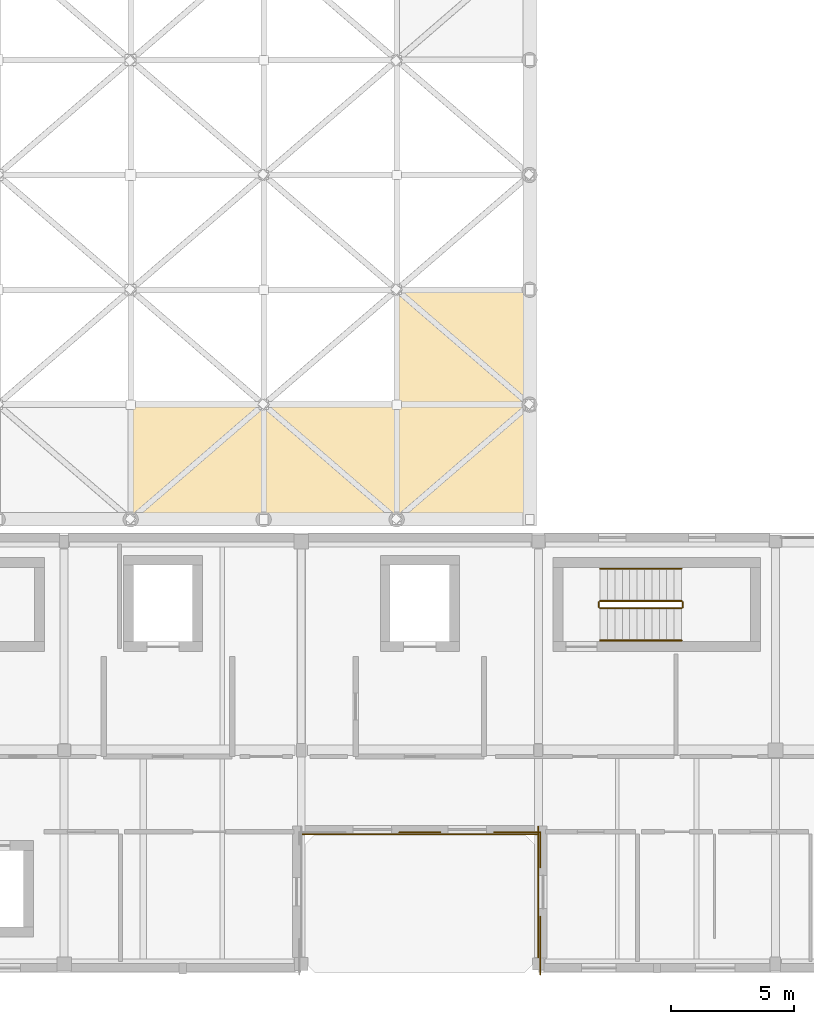
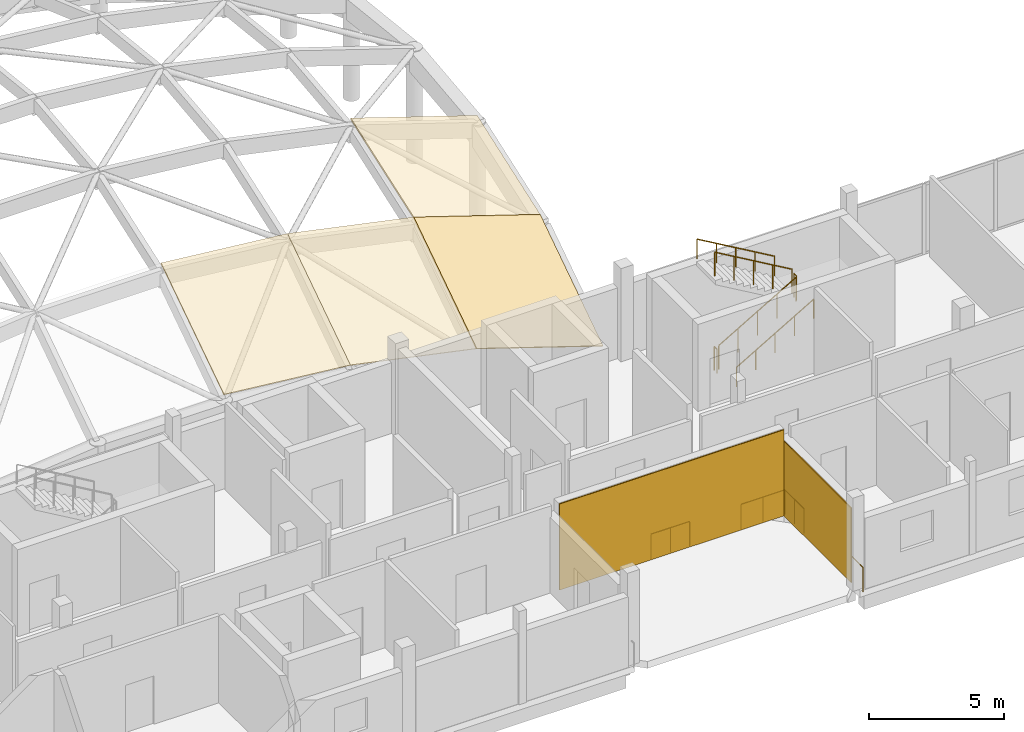
# One storey, part 35 of 41: 10 railings, 6 coverings.
"""IFC4 building model written with IfcOpenShell, lengths in metres."""

from ifc_helpers import new_model, si_unit, direction, frame, origin, origin_2d, place, context, subcontext, project, spatial, polyline, rectangle, circle, outline, extrude, material, layer, layer_set, type_object, element, save


model = new_model("IFC4")

# Units and contexts
model_context = context("Model", 3, precision=1e-05, world=origin(), true_north=direction((0.0, 1.0)))
body_context = subcontext(model_context, "Body", "Model", "MODEL_VIEW")
ifc_project = project(units=[si_unit("LENGTHUNIT", "METRE"), si_unit("AREAUNIT", "SQUARE_METRE"), si_unit("VOLUMEUNIT", "CUBIC_METRE"), si_unit("PLANEANGLEUNIT", "RADIAN"), si_unit("MASSUNIT", "GRAM", prefix="KILO")], contexts=[model_context])

# Site, building, storey
site_placement = place(None, origin())
site = spatial("IfcSite", under=ifc_project, at=site_placement, CompositionType="ELEMENT")
building_placement = place(site_placement, origin())
building = spatial("IfcBuilding", under=site, at=building_placement, Name="Birchvale Park Specialist Clinic", CompositionType="ELEMENT")
storey_placement = place(building_placement, frame((0.0, 0.0, 9.60009765625)))
storey = spatial("IfcBuildingStorey", under=building, at=storey_placement, Name="L02", CompositionType="ELEMENT", Elevation=9.60009765625)

# Coverings
ifc_material_1 = material(Name="Nordic larch vertical rainscreen cladding")
ifc_layer_1 = layer(ifc_material_1, 0.044921875)
ifc_layer_set_1 = layer_set([ifc_layer_1], Name="Nordic larch vertical rainscreen cladding")
covering_type_1 = type_object("IfcCoveringType", Name="COV-CL1", PredefinedType="CLADDING", material=ifc_layer_set_1)
covering_1_placement = place(storey_placement, frame((85.39990234375, 22.3974609375, 0.02001953125), z_axis=(0.0, 0.0, 1.0), x_axis=(1.0, 0.0, 0.0)))
element("IfcCovering", 1, at=covering_1_placement, inside=storey, type_object=covering_type_1, Name="V4 L02 Nordic larch cladding 15", PredefinedType="CLADDING", context=body_context, shape_type="SweptSolid", body=[
    extrude(rectangle(XDim=9.56005859375, YDim=0.044921875, at=origin_2d()), origin(), (0.0, 0.0, 1.0), 3.8798828125),
])
covering_2_placement = place(storey_placement, frame((90.197509765625, 20.0625, 0.02001953125), z_axis=(0.0, 0.0, 1.0), x_axis=(0.0, -1.0, 0.0)))
element("IfcCovering", 2, at=covering_2_placement, inside=storey, type_object=covering_type_1, Name="V4 L02 Nordic larch cladding 16", PredefinedType="CLADDING", context=body_context, shape_type="SweptSolid", body=[
    extrude(rectangle(XDim=5.31494140625, YDim=0.044921875, at=origin_2d()), origin(), (0.0, 0.0, 1.0), 3.364990234375),
])
ifc_material_2 = material(Name="Standing-seam titanium-zinc roofing")
ifc_layer_2 = layer(ifc_material_2, 0.054931640625)
ifc_layer_set_2 = layer_set([ifc_layer_2], Name="Standing-seam titanium-zinc roofing")
covering_type_2 = type_object("IfcCoveringType", Name="COV-RF2", PredefinedType="ROOFING", material=ifc_layer_set_2)
covering_3_placement = place(storey_placement, frame((73.69287109375, 35.14990234375, 3.52197265625), z_axis=(0.086382234799, -0.553259007255, 0.828518304205), x_axis=(0.994608725176, 0.0, -0.103699005798)))
element("IfcCovering", 3, at=covering_3_placement, inside=storey, type_object=covering_type_2, Name="V1 gridshell standing-seam covering 25", PredefinedType="ROOFING", context=body_context, shape_type="SweptSolid", body=[
    extrude(outline(polyline([(0.0, 0.0), (5.4149355934377565, 0.0), (5.092926888665913, 5.582346513327926), (-0.3220087047718434, 5.582346513327925), (0.0, 0.0)])), origin(), (0.0, 0.0, -1.0), 0.054931640625),
])
covering_4_placement = place(storey_placement, frame((79.07861328125, 35.14990234375, 2.96044921875), z_axis=(0.17367317215, -0.546895579373, 0.818988922109), x_axis=(0.978246670793, 0.0, -0.207445055574)))
element("IfcCovering", 4, at=covering_4_placement, inside=storey, type_object=covering_type_2, Name="V1 gridshell standing-seam covering 31", PredefinedType="ROOFING", context=body_context, shape_type="SweptSolid", body=[
    extrude(outline(polyline([(0.0, 0.0), (5.5055052557793625, 0.0), (4.861341764116741, 5.554397860868658), (-0.6441634916626215, 5.554397860868658), (0.0, 0.0)])), origin(), (0.0, 0.0, -1.0), 0.054931640625),
])
covering_5_placement = place(storey_placement, frame((84.46435546875, 35.14990234375, 1.818359375), z_axis=(0.262729709177, -0.535825606069, 0.802411378158), x_axis=(0.950354284012, 0.0, -0.311169945304)))
element("IfcCovering", 5, at=covering_5_placement, inside=storey, type_object=covering_type_2, Name="V1 gridshell standing-seam covering 37", PredefinedType="ROOFING", context=body_context, shape_type="SweptSolid", body=[
    extrude(outline(polyline([(0.0, 0.0), (5.66708887212652, 0.0), (4.700836300269305, 5.50750743696208), (-0.9662525718572146, 5.507507436962079), (0.0, 0.0)])), origin(), (0.0, 0.0, -1.0), 0.054931640625),
])
covering_6_placement = place(storey_placement, frame((84.46435546875, 39.800048828125, 4.923583984375), z_axis=(0.295043747658, -0.317746822713, 0.901102737552), x_axis=(0.950354284012, 0.0, -0.311169945304)))
element("IfcCovering", 6, at=covering_6_placement, inside=storey, type_object=covering_type_2, Name="V1 gridshell standing-seam covering 38", PredefinedType="ROOFING", context=body_context, shape_type="SweptSolid", body=[
    extrude(outline(polyline([(0.0, 0.0), (5.66708887212652, -1.1102230246251565e-16), (5.156879557511138, 4.904051922674518), (-0.5102093146153828, 4.904051922674518), (0.0, 0.0)])), origin(), (0.0, 0.0, -1.0), 0.054931640625),
])

# Railings
ifc_material_3 = material(Name="Brushed stainless steel and laminated glass balustrade", Category="steel")
railing_type_1 = type_object("IfcRailingType", Name="RL-BAL1", PredefinedType="BALUSTRADE", material=ifc_material_3)
railing_1_placement = place(storey_placement, frame((90.280029296875, 16.719970703125, 0.0)))
element("IfcRailing", 7, at=railing_1_placement, inside=storey, type_object=railing_type_1, Name="V4 L02 atrium void balustrade 18", PredefinedType="BALUSTRADE", context=body_context, shape_type="SweptSolid", body=[
    extrude(circle(Radius=0.02392578125, at=origin_2d()), frame((0.0, 0.0, 1.09619140625), z_axis=(0.0, 1.0, 0.0), x_axis=(-1.0, 0.0, 0.0)), (0.0, 0.0, 1.0), 2.347412109375),
    extrude(circle(Radius=0.02099609375, at=origin_2d()), origin(), (0.0, 0.0, 1.0), 1.072021484375),
    extrude(circle(Radius=0.02099609375, at=origin_2d()), frame((0.0, 1.173828125, 0.0)), (0.0, 0.0, 1.0), 1.072021484375),
    extrude(circle(Radius=0.02099609375, at=origin_2d()), frame((0.0, 2.347412109375, 0.0)), (0.0, 0.0, 1.0), 1.072021484375),
])
railing_2_placement = place(storey_placement, frame((90.280029296875, 21.0576171875, 0.0)))
element("IfcRailing", 8, at=railing_2_placement, inside=storey, type_object=railing_type_1, Name="V4 L02 atrium void balustrade 19", PredefinedType="BALUSTRADE", context=body_context, shape_type="SweptSolid", body=[
    extrude(circle(Radius=0.02392578125, at=origin_2d()), frame((0.0, 0.0, 1.09619140625), z_axis=(0.0, 1.0, 0.0), x_axis=(-1.0, 0.0, 0.0)), (0.0, 0.0, 1.0), 1.42236328125),
    extrude(circle(Radius=0.02099609375, at=origin_2d()), origin(), (0.0, 0.0, 1.0), 1.072021484375),
    extrude(circle(Radius=0.02099609375, at=origin_2d()), frame((0.0, 0.711181640625, 0.0)), (0.0, 0.0, 1.0), 1.072021484375),
    extrude(circle(Radius=0.02099609375, at=origin_2d()), frame((0.0, 1.42236328125, 0.0)), (0.0, 0.0, 1.0), 1.072021484375),
])
railing_3_placement = place(storey_placement, frame((90.280029296875, 22.47998046875, 0.0)))
element("IfcRailing", 9, at=railing_3_placement, inside=storey, type_object=railing_type_1, Name="V4 L02 atrium void balustrade 20", PredefinedType="BALUSTRADE", context=body_context, shape_type="SweptSolid", body=[
    extrude(circle(Radius=0.02392578125, at=origin_2d()), frame((0.0, 0.0, 1.09619140625), z_axis=(-1.0, 0.0, 0.0), x_axis=(0.0, -1.0, 0.0)), (0.0, 0.0, 1.0), 1.864990234375),
    extrude(circle(Radius=0.02099609375, at=origin_2d()), origin(), (0.0, 0.0, 1.0), 1.072021484375),
    extrude(circle(Radius=0.02099609375, at=origin_2d()), frame((-0.9326171875, 0.0, 0.0)), (0.0, 0.0, 1.0), 1.072021484375),
    extrude(circle(Radius=0.02099609375, at=origin_2d()), frame((-1.864990234375, 0.0, 0.0)), (0.0, 0.0, 1.0), 1.072021484375),
])
railing_4_placement = place(storey_placement, frame((86.22509765625, 22.47998046875, 0.0)))
element("IfcRailing", 10, at=railing_4_placement, inside=storey, type_object=railing_type_1, Name="V4 L02 atrium void balustrade 21", PredefinedType="BALUSTRADE", context=body_context, shape_type="SweptSolid", body=[
    extrude(circle(Radius=0.02392578125, at=origin_2d()), frame((0.0, 0.0, 1.09619140625), z_axis=(-1.0, 0.0, 0.0), x_axis=(0.0, -1.0, 0.0)), (0.0, 0.0, 1.0), 1.650146484375),
    extrude(circle(Radius=0.02099609375, at=origin_2d()), origin(), (0.0, 0.0, 1.0), 1.072021484375),
    extrude(circle(Radius=0.02099609375, at=origin_2d()), frame((-0.8251953125, 0.0, 0.0)), (0.0, 0.0, 1.0), 1.072021484375),
    extrude(circle(Radius=0.02099609375, at=origin_2d()), frame((-1.650146484375, 0.0, 0.0)), (0.0, 0.0, 1.0), 1.072021484375),
])
ifc_material_4 = material(Name="Brushed stainless steel guard railing", Category="steel")
railing_type_2 = type_object("IfcRailingType", Name="RL-GRD1", PredefinedType="GUARDRAIL", material=ifc_material_4)
railing_5_placement = place(storey_placement, frame((92.699951171875, 31.550048828125, 0.1748046875)))
element("IfcRailing", 11, at=railing_5_placement, inside=storey, type_object=railing_type_2, Name="L02 ST5 stair guard 1", PredefinedType="GUARDRAIL", context=body_context, shape_type="SweptSolid", body=[
    extrude(circle(Radius=0.02392578125, at=origin_2d()), frame((0.0, 0.0, 1.076171875), z_axis=(0.863776583165, 0.0, 0.503874998761), x_axis=(0.0, 1.0, 0.0)), (0.0, 0.0, 1.0), 3.820556640625),
    extrude(circle(Radius=0.02099609375, at=origin_2d()), origin(), (0.0, 0.0, 1.0), 1.052001953125),
    extrude(circle(Radius=0.02099609375, at=origin_2d()), frame((0.824951171875, 0.0, 0.481201171875)), (0.0, 0.0, 1.0), 1.052001953125),
    extrude(circle(Radius=0.02099609375, at=origin_2d()), frame((1.64990234375, 0.0, 0.96240234375)), (0.0, 0.0, 1.0), 1.052001953125),
    extrude(circle(Radius=0.02099609375, at=origin_2d()), frame((2.47509765625, 0.0, 1.44384765625)), (0.0, 0.0, 1.0), 1.052001953125),
    extrude(circle(Radius=0.02099609375, at=origin_2d()), frame((3.300048828125, 0.0, 1.925048828125)), (0.0, 0.0, 1.0), 1.052001953125),
])
railing_6_placement = place(storey_placement, frame((96.050048828125, 31.60009765625, 2.099853515625)))
element("IfcRailing", 12, at=railing_6_placement, inside=storey, type_object=railing_type_2, Name="L02 ST5 stair guard 2", PredefinedType="GUARDRAIL", context=body_context, shape_type="SweptSolid", body=[
    extrude(circle(Radius=0.02392578125, at=origin_2d()), frame((0.0, 0.0, 1.076171875), z_axis=(0.0, 1.0, 0.0), x_axis=(-1.0, 0.0, 0.0)), (0.0, 0.0, 1.0), 0.199951171875),
    extrude(circle(Radius=0.02099609375, at=origin_2d()), origin(), (0.0, 0.0, 1.0), 1.052001953125),
    extrude(circle(Radius=0.02099609375, at=origin_2d()), frame((0.0, 0.199951171875, 0.0)), (0.0, 0.0, 1.0), 1.052001953125),
])
railing_7_placement = place(storey_placement, frame((96.0, 31.85009765625, 2.27490234375)))
element("IfcRailing", 13, at=railing_7_placement, inside=storey, type_object=railing_type_2, Name="L02 ST5 stair guard 3", PredefinedType="GUARDRAIL", context=body_context, shape_type="SweptSolid", body=[
    extrude(circle(Radius=0.02392578125, at=origin_2d()), frame((0.0, 0.0, 1.076171875), z_axis=(-0.863776583165, 0.0, 0.503874998761), x_axis=(0.0, -1.0, 0.0)), (0.0, 0.0, 1.0), 3.820556640625),
    extrude(circle(Radius=0.02099609375, at=origin_2d()), origin(), (0.0, 0.0, 1.0), 1.052001953125),
    extrude(circle(Radius=0.02099609375, at=origin_2d()), frame((-0.824951171875, 0.0, 0.481201171875)), (0.0, 0.0, 1.0), 1.052001953125),
    extrude(circle(Radius=0.02099609375, at=origin_2d()), frame((-1.64990234375, 0.0, 0.96240234375)), (0.0, 0.0, 1.0), 1.052001953125),
    extrude(circle(Radius=0.02099609375, at=origin_2d()), frame((-2.47509765625, 0.0, 1.44384765625)), (0.0, 0.0, 1.0), 1.052001953125),
    extrude(circle(Radius=0.02099609375, at=origin_2d()), frame((-3.300048828125, 0.0, 1.925048828125)), (0.0, 0.0, 1.0), 1.052001953125),
])
railing_8_placement = place(storey_placement, frame((92.64990234375, 31.60009765625, 0.0)))
element("IfcRailing", 14, at=railing_8_placement, inside=storey, type_object=railing_type_2, Name="L02 ST5 stair guard 4", PredefinedType="GUARDRAIL", context=body_context, shape_type="SweptSolid", body=[
    extrude(circle(Radius=0.02392578125, at=origin_2d()), frame((0.0, 0.0, 1.076171875), z_axis=(0.0, 1.0, 0.0), x_axis=(-1.0, 0.0, 0.0)), (0.0, 0.0, 1.0), 0.199951171875),
    extrude(circle(Radius=0.02099609375, at=origin_2d()), origin(), (0.0, 0.0, 1.0), 1.052001953125),
    extrude(circle(Radius=0.02099609375, at=origin_2d()), frame((0.0, 0.199951171875, 0.0)), (0.0, 0.0, 1.0), 1.052001953125),
])
ifc_material_5 = material(Name="Anodised aluminium handrail", Category="aluminium")
railing_type_3 = type_object("IfcRailingType", Name="RL-HND1", PredefinedType="HANDRAIL", material=ifc_material_5)
railing_9_placement = place(storey_placement, frame((92.699951171875, 30.25, 0.1748046875)))
element("IfcRailing", 15, at=railing_9_placement, inside=storey, type_object=railing_type_3, Name="L02 ST5 stair handrail 1", PredefinedType="HANDRAIL", context=body_context, shape_type="SweptSolid", body=[
    extrude(circle(Radius=0.02392578125, at=origin_2d()), frame((0.0, 0.0, 0.8759765625), z_axis=(0.863776583165, 0.0, 0.503874998761), x_axis=(0.0, 1.0, 0.0)), (0.0, 0.0, 1.0), 3.820556640625),
    extrude(circle(Radius=0.02099609375, at=origin_2d()), origin(), (0.0, 0.0, 1.0), 0.851806640625),
    extrude(circle(Radius=0.02099609375, at=origin_2d()), frame((0.824951171875, 0.0, 0.481201171875)), (0.0, 0.0, 1.0), 0.851806640625),
    extrude(circle(Radius=0.02099609375, at=origin_2d()), frame((1.64990234375, 0.0, 0.96240234375)), (0.0, 0.0, 1.0), 0.851806640625),
    extrude(circle(Radius=0.02099609375, at=origin_2d()), frame((2.47509765625, 0.0, 1.44384765625)), (0.0, 0.0, 1.0), 0.851806640625),
    extrude(circle(Radius=0.02099609375, at=origin_2d()), frame((3.300048828125, 0.0, 1.925048828125)), (0.0, 0.0, 1.0), 0.851806640625),
])
railing_10_placement = place(storey_placement, frame((96.0, 33.14990234375, 2.27490234375)))
element("IfcRailing", 16, at=railing_10_placement, inside=storey, type_object=railing_type_3, Name="L02 ST5 stair handrail 2", PredefinedType="HANDRAIL", context=body_context, shape_type="SweptSolid", body=[
    extrude(circle(Radius=0.02392578125, at=origin_2d()), frame((0.0, 0.0, 0.8759765625), z_axis=(-0.863776583165, 0.0, 0.503874998761), x_axis=(0.0, -1.0, 0.0)), (0.0, 0.0, 1.0), 3.820556640625),
    extrude(circle(Radius=0.02099609375, at=origin_2d()), origin(), (0.0, 0.0, 1.0), 0.851806640625),
    extrude(circle(Radius=0.02099609375, at=origin_2d()), frame((-0.824951171875, 0.0, 0.481201171875)), (0.0, 0.0, 1.0), 0.851806640625),
    extrude(circle(Radius=0.02099609375, at=origin_2d()), frame((-1.64990234375, 0.0, 0.96240234375)), (0.0, 0.0, 1.0), 0.851806640625),
    extrude(circle(Radius=0.02099609375, at=origin_2d()), frame((-2.47509765625, 0.0, 1.44384765625)), (0.0, 0.0, 1.0), 0.851806640625),
    extrude(circle(Radius=0.02099609375, at=origin_2d()), frame((-3.300048828125, 0.0, 1.925048828125)), (0.0, 0.0, 1.0), 0.851806640625),
])

save(model, "model.ifc")
